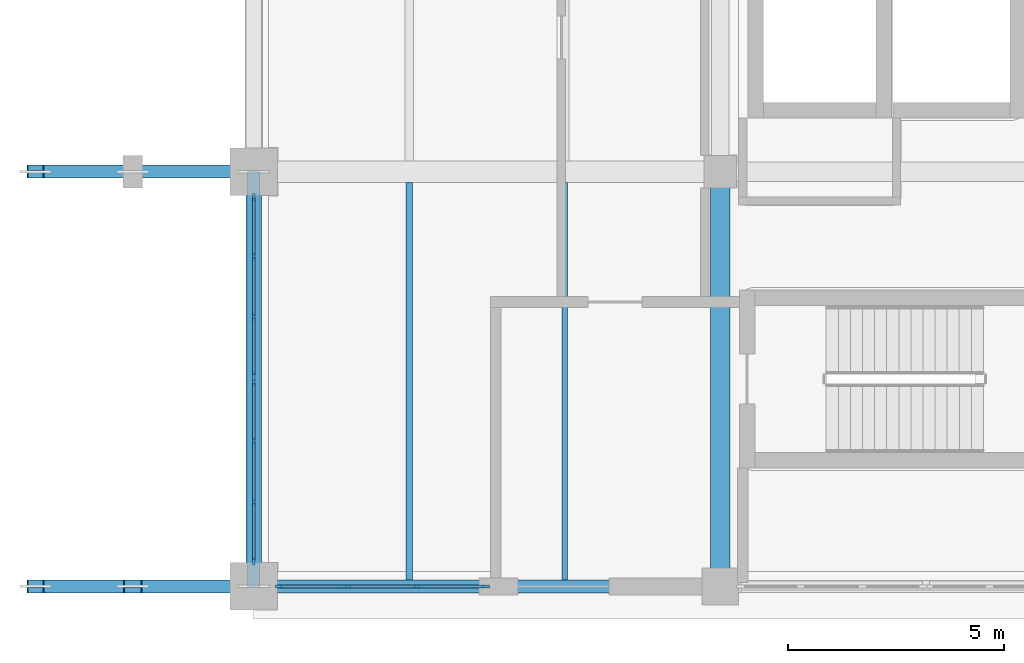
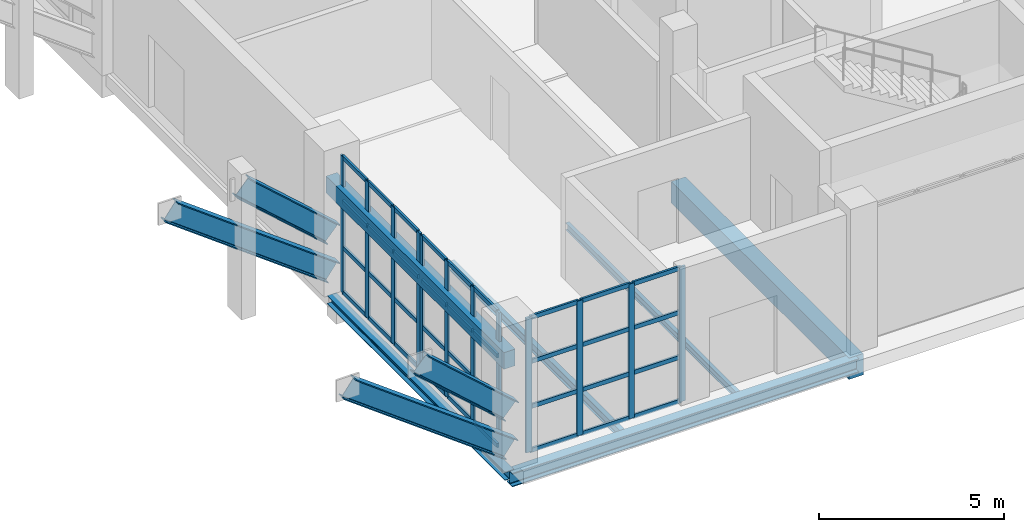
# One storey, part 4 of 121: 52 members, 6 beams, 3 elements without a shape of their own.
"""IFC4 building model written with IfcOpenShell, lengths in metres."""

from ifc_helpers import new_model, si_unit, direction, frame, origin, origin_2d, place, context, subcontext, project, spatial, rectangle, i_section, extrude, material, layer, layer_set, material_profile, profile_set, type_object, element, aggregate, save


model = new_model("IFC4")

# Units and contexts
model_context = context("Model", 3, precision=1e-05, world=origin(), true_north=direction((0.0, 1.0)))
body_context = subcontext(model_context, "Body", "Model", "MODEL_VIEW")
ifc_project = project(units=[si_unit("LENGTHUNIT", "METRE"), si_unit("AREAUNIT", "SQUARE_METRE"), si_unit("VOLUMEUNIT", "CUBIC_METRE"), si_unit("PLANEANGLEUNIT", "RADIAN"), si_unit("MASSUNIT", "GRAM", prefix="KILO")], contexts=[model_context])

# Site, building, storey
site_placement = place(None, origin())
site = spatial("IfcSite", under=ifc_project, at=site_placement, CompositionType="ELEMENT")
building_placement = place(site_placement, origin())
building = spatial("IfcBuilding", under=site, at=building_placement, Name="Zereglee Splitstone Museum", CompositionType="ELEMENT")
storey_placement = place(building_placement, origin())
storey = spatial("IfcBuildingStorey", under=building, at=storey_placement, Name="L00", CompositionType="ELEMENT", Elevation=0.0)

# Beam
ifc_material_1 = material(Name="Concrete C40/50", Category="concrete")
ifc_material_profile_1 = material_profile(ifc_material_1, rectangle(XDim=0.449951171875, YDim=0.699951171875, at=origin_2d()), Name="RC 450x700")
ifc_profile_set_1 = profile_set([ifc_material_profile_1], Name="Concrete C40/50")
beam_type_1 = type_object("IfcBeamType", Name="BG-03", PredefinedType="BEAM", material=ifc_profile_set_1)
beam_1_placement = place(storey_placement, frame((20.39990234375, 0.0, -0.77001953125), z_axis=(0.0, 1.0, 0.0), x_axis=(-1.0, 0.0, 0.0)))
element("IfcBeam", 1, at=beam_1_placement, inside=storey, type_object=beam_type_1, Name="Primary Girder L00 4 (0.0-9.6)", PredefinedType="BEAM", context=body_context, shape_type="SweptSolid", body=[
    extrude(rectangle(XDim=0.449951171875, YDim=0.699951171875, at=origin_2d()), origin(), (0.0, 0.0, 1.0), 9.60009765625),
])

# Members
ifc_material_2 = material(Name="Steel S355J2", Category="steel")
ifc_material_profile_2 = material_profile(ifc_material_2, i_section(OverallWidth=0.300048828125, OverallDepth=0.64990234375, WebThickness=0.01611328125, FlangeThickness=0.031005859375, FilletRadius=0.027099609375, at=origin_2d()), Name="HE 650 B")
ifc_profile_set_2 = profile_set([ifc_material_profile_2], Name="Steel S355J2")
member_type_1 = type_object("IfcMemberType", Name="TB-09", PredefinedType="BRACE", material=ifc_profile_set_2)
member_1_placement = place(storey_placement, frame((9.60009765625, 0.0, 0.35009765625), z_axis=(-0.802855312728, 0.0, 0.596173923302), x_axis=(0.0, -1.0, 0.0)))
element("IfcMember", 2, at=member_1_placement, inside=storey, type_object=member_type_1, Name="Exposed Cantilever Raking Soffit Strut CT-01 Outer", PredefinedType="BRACE", context=body_context, shape_type="SweptSolid", body=[
    extrude(i_section(OverallWidth=0.300048828125, OverallDepth=0.64990234375, WebThickness=0.01611328125, FlangeThickness=0.031005859375, FilletRadius=0.027099609375, at=origin_2d()), origin(), (0.0, 0.0, 1.0), 6.2900390625),
])
member_2_placement = place(storey_placement, frame((9.60009765625, 0.0, 1.60009765625), z_axis=(-0.745943431645, 0.0, 0.666009306831), x_axis=(0.0, -1.0, 0.0)))
element("IfcMember", 3, at=member_2_placement, inside=storey, type_object=member_type_1, Name="Exposed Cantilever Raking Soffit Strut CT-01 Inner", PredefinedType="BRACE", context=body_context, shape_type="SweptSolid", body=[
    extrude(i_section(OverallWidth=0.300048828125, OverallDepth=0.64990234375, WebThickness=0.01611328125, FlangeThickness=0.031005859375, FilletRadius=0.027099609375, at=origin_2d()), origin(), (0.0, 0.0, 1.0), 3.753662109375),
])
member_3_placement = place(storey_placement, frame((9.60009765625, 9.60009765625, 0.35009765625), z_axis=(-0.802855312728, 0.0, 0.596173923302), x_axis=(0.0, -1.0, 0.0)))
element("IfcMember", 4, at=member_3_placement, inside=storey, type_object=member_type_1, Name="Exposed Cantilever Raking Soffit Strut CT-02 Outer", PredefinedType="BRACE", context=body_context, shape_type="SweptSolid", body=[
    extrude(i_section(OverallWidth=0.300048828125, OverallDepth=0.64990234375, WebThickness=0.01611328125, FlangeThickness=0.031005859375, FilletRadius=0.027099609375, at=origin_2d()), origin(), (0.0, 0.0, 1.0), 6.2900390625),
])
member_4_placement = place(storey_placement, frame((9.60009765625, 9.60009765625, 1.60009765625), z_axis=(-0.745943431645, 0.0, 0.666009306831), x_axis=(0.0, -1.0, 0.0)))
element("IfcMember", 5, at=member_4_placement, inside=storey, type_object=member_type_1, Name="Exposed Cantilever Raking Soffit Strut CT-02 Inner", PredefinedType="BRACE", context=body_context, shape_type="SweptSolid", body=[
    extrude(i_section(OverallWidth=0.300048828125, OverallDepth=0.64990234375, WebThickness=0.01611328125, FlangeThickness=0.031005859375, FilletRadius=0.027099609375, at=origin_2d()), origin(), (0.0, 0.0, 1.0), 3.753662109375),
])

# Curtain wall, members
ifc_material_3 = material(Name="Triple-glazed low-E argon glass and bronze-anodised aluminium", Category="aluminium")
ifc_layer_1 = layer(ifc_material_3, 0.179931640625)
ifc_layer_set_1 = layer_set([ifc_layer_1], Name="Triple-glazed low-E argon glass and bronze-anodised aluminium")
curtain_wall_type_1 = type_object("IfcCurtainWallType", Name="CW-0420-450", PredefinedType="USERDEFINED", material=ifc_layer_set_1)
curtain_wall_1_placement = place(storey_placement, origin())
curtain_wall_1 = element("IfcCurtainWall", 6, at=curtain_wall_1_placement, inside=storey, type_object=curtain_wall_type_1, Name="Glazed Curtain Wall CW-0420-450 (L00)", ObjectType="GLAZED CURTAIN WALL", PredefinedType="USERDEFINED")
ifc_material_4 = material(Name="Thermally broken bronze-anodised aluminium", Category="aluminium")
ifc_material_profile_3 = material_profile(ifc_material_4, rectangle(XDim=0.06494140625, YDim=0.179931640625, at=origin_2d()), Name="CW MULL 65x180")
ifc_profile_set_3 = profile_set([ifc_material_profile_3], Name="Thermally broken bronze-anodised aluminium")
member_type_2 = type_object("IfcMemberType", Name="CWM-01", PredefinedType="MULLION", material=ifc_profile_set_3)
member_5_placement = place(storey_placement, frame((9.60009765625, 9.009521484375, 0.0), z_axis=(0.0, 0.0, 1.0), x_axis=(1.0, 0.0, 0.0)))
member_5 = element("IfcMember", 7, at=member_5_placement, type_object=member_type_2, Name="CW-0420-450 mullion 1", PredefinedType="MULLION", context=body_context, shape_type="SweptSolid", body=[
    extrude(rectangle(XDim=0.06494140625, YDim=0.179931640625, at=origin_2d()), origin(), (0.0, 0.0, 1.0), 4.5),
])
member_6_placement = place(storey_placement, frame((9.60009765625, 7.641357421875, 0.0), z_axis=(0.0, 0.0, 1.0), x_axis=(1.0, 0.0, 0.0)))
member_6 = element("IfcMember", 8, at=member_6_placement, type_object=member_type_2, Name="CW-0420-450 mullion 2", PredefinedType="MULLION", context=body_context, shape_type="SweptSolid", body=[
    extrude(rectangle(XDim=0.06494140625, YDim=0.179931640625, at=origin_2d()), origin(), (0.0, 0.0, 1.0), 4.5),
])
member_7_placement = place(storey_placement, frame((9.60009765625, 6.24072265625, 0.0), z_axis=(0.0, 0.0, 1.0), x_axis=(1.0, 0.0, 0.0)))
member_7 = element("IfcMember", 9, at=member_7_placement, type_object=member_type_2, Name="CW-0420-450 mullion 3", PredefinedType="MULLION", context=body_context, shape_type="SweptSolid", body=[
    extrude(rectangle(XDim=0.06494140625, YDim=0.179931640625, at=origin_2d()), origin(), (0.0, 0.0, 1.0), 4.5),
])
member_8_placement = place(storey_placement, frame((9.60009765625, 4.87255859375, 0.0), z_axis=(0.0, 0.0, 1.0), x_axis=(1.0, 0.0, 0.0)))
member_8 = element("IfcMember", 10, at=member_8_placement, type_object=member_type_2, Name="CW-0420-450 mullion 4", PredefinedType="MULLION", context=body_context, shape_type="SweptSolid", body=[
    extrude(rectangle(XDim=0.06494140625, YDim=0.179931640625, at=origin_2d()), origin(), (0.0, 0.0, 1.0), 4.5),
])

ifc_layer_2 = layer(ifc_material_3, 0.179931640625)
ifc_layer_set_2 = layer_set([ifc_layer_2], Name="Triple-glazed low-E argon glass and bronze-anodised aluminium")
curtain_wall_type_2 = type_object("IfcCurtainWallType", Name="CW-0420-448", PredefinedType="USERDEFINED", material=ifc_layer_set_2)
curtain_wall_2_placement = place(storey_placement, origin())
curtain_wall_2 = element("IfcCurtainWall", 11, at=curtain_wall_2_placement, inside=storey, type_object=curtain_wall_type_2, Name="Glazed Curtain Wall CW-0420-448 (L00)", ObjectType="GLAZED CURTAIN WALL", PredefinedType="USERDEFINED")
member_9_placement = place(storey_placement, frame((9.60009765625, 4.7275390625, 0.0), z_axis=(0.0, 0.0, 1.0), x_axis=(1.0, 0.0, 0.0)))
member_9 = element("IfcMember", 12, at=member_9_placement, type_object=member_type_2, Name="CW-0420-448 mullion 1", PredefinedType="MULLION", context=body_context, shape_type="SweptSolid", body=[
    extrude(rectangle(XDim=0.06494140625, YDim=0.179931640625, at=origin_2d()), origin(), (0.0, 0.0, 1.0), 4.47998046875),
])
member_10_placement = place(storey_placement, frame((9.60009765625, 3.359375, 0.0), z_axis=(0.0, 0.0, 1.0), x_axis=(1.0, 0.0, 0.0)))
member_10 = element("IfcMember", 13, at=member_10_placement, type_object=member_type_2, Name="CW-0420-448 mullion 2", PredefinedType="MULLION", context=body_context, shape_type="SweptSolid", body=[
    extrude(rectangle(XDim=0.06494140625, YDim=0.179931640625, at=origin_2d()), origin(), (0.0, 0.0, 1.0), 4.47998046875),
])
member_11_placement = place(storey_placement, frame((9.60009765625, 1.958740234375, 0.0), z_axis=(0.0, 0.0, 1.0), x_axis=(1.0, 0.0, 0.0)))
member_11 = element("IfcMember", 14, at=member_11_placement, type_object=member_type_2, Name="CW-0420-448 mullion 3", PredefinedType="MULLION", context=body_context, shape_type="SweptSolid", body=[
    extrude(rectangle(XDim=0.06494140625, YDim=0.179931640625, at=origin_2d()), origin(), (0.0, 0.0, 1.0), 4.47998046875),
])
member_12_placement = place(storey_placement, frame((9.60009765625, 0.590576171875, 0.0), z_axis=(0.0, 0.0, 1.0), x_axis=(1.0, 0.0, 0.0)))
member_12 = element("IfcMember", 15, at=member_12_placement, type_object=member_type_2, Name="CW-0420-448 mullion 4", PredefinedType="MULLION", context=body_context, shape_type="SweptSolid", body=[
    extrude(rectangle(XDim=0.06494140625, YDim=0.179931640625, at=origin_2d()), origin(), (0.0, 0.0, 1.0), 4.47998046875),
])

ifc_layer_3 = layer(ifc_material_3, 0.179931640625)
ifc_layer_set_3 = layer_set([ifc_layer_3], Name="Triple-glazed low-E argon glass and bronze-anodised aluminium")
curtain_wall_type_3 = type_object("IfcCurtainWallType", Name="CW-0484-444", PredefinedType="USERDEFINED", material=ifc_layer_set_3)
curtain_wall_3_placement = place(storey_placement, origin())
curtain_wall_3 = element("IfcCurtainWall", 16, at=curtain_wall_3_placement, inside=storey, type_object=curtain_wall_type_3, Name="Glazed Curtain Wall CW-0484-444 (L00)", ObjectType="GLAZED CURTAIN WALL", PredefinedType="USERDEFINED")
member_13_placement = place(storey_placement, frame((10.1904296875, 0.0, 0.0), z_axis=(0.0, 0.0, 1.0), x_axis=(0.0, 1.0, 0.0)))
member_13 = element("IfcMember", 17, at=member_13_placement, type_object=member_type_2, Name="CW-0484-444 mullion 1", PredefinedType="MULLION", context=body_context, shape_type="SweptSolid", body=[
    extrude(rectangle(XDim=0.06494140625, YDim=0.179931640625, at=origin_2d()), origin(), (0.0, 0.0, 1.0), 4.43994140625),
])
member_14_placement = place(storey_placement, frame((11.77197265625, 0.0, 0.0), z_axis=(0.0, 0.0, 1.0), x_axis=(0.0, 1.0, 0.0)))
member_14 = element("IfcMember", 18, at=member_14_placement, type_object=member_type_2, Name="CW-0484-444 mullion 2", PredefinedType="MULLION", context=body_context, shape_type="SweptSolid", body=[
    extrude(rectangle(XDim=0.06494140625, YDim=0.179931640625, at=origin_2d()), origin(), (0.0, 0.0, 1.0), 4.43994140625),
])
member_15_placement = place(storey_placement, frame((13.385986328125, 0.0, 0.0), z_axis=(0.0, 0.0, 1.0), x_axis=(0.0, 1.0, 0.0)))
member_15 = element("IfcMember", 19, at=member_15_placement, type_object=member_type_2, Name="CW-0484-444 mullion 3", PredefinedType="MULLION", context=body_context, shape_type="SweptSolid", body=[
    extrude(rectangle(XDim=0.06494140625, YDim=0.179931640625, at=origin_2d()), origin(), (0.0, 0.0, 1.0), 4.43994140625),
])
member_16_placement = place(storey_placement, frame((14.967529296875, 0.0, 0.0), z_axis=(0.0, 0.0, 1.0), x_axis=(0.0, 1.0, 0.0)))
member_16 = element("IfcMember", 20, at=member_16_placement, type_object=member_type_2, Name="CW-0484-444 mullion 4", PredefinedType="MULLION", context=body_context, shape_type="SweptSolid", body=[
    extrude(rectangle(XDim=0.06494140625, YDim=0.179931640625, at=origin_2d()), origin(), (0.0, 0.0, 1.0), 4.43994140625),
])

# Member
ifc_material_profile_4 = material_profile(ifc_material_4, rectangle(XDim=0.06494140625, YDim=0.139892578125, at=origin_2d()), Name="CW TRAN 65x140")
ifc_profile_set_4 = profile_set([ifc_material_profile_4], Name="Thermally broken bronze-anodised aluminium")
member_type_3 = type_object("IfcMemberType", Name="CWT-01", PredefinedType="USERDEFINED", material=ifc_profile_set_4)
member_17_placement = place(storey_placement, frame((9.60009765625, 8.97705078125, 0.032470703125), z_axis=(0.0, -1.0, 0.0), x_axis=(1.0, 0.0, 0.0)))
member_17 = element("IfcMember", 21, at=member_17_placement, type_object=member_type_3, Name="CW-0420-450 transom 1.1", ObjectType="TRANSOM", PredefinedType="USERDEFINED", context=body_context, shape_type="SweptSolid", body=[
    extrude(rectangle(XDim=0.06494140625, YDim=0.139892578125, at=origin_2d()), origin(), (0.0, 0.0, 1.0), 1.30322265625),
])

member_18_placement = place(storey_placement, frame((9.60009765625, 8.97705078125, 1.5), z_axis=(0.0, -1.0, 0.0), x_axis=(1.0, 0.0, 0.0)))
member_18 = element("IfcMember", 22, at=member_18_placement, type_object=member_type_3, Name="CW-0420-450 transom 1.2", ObjectType="TRANSOM", PredefinedType="USERDEFINED", context=body_context, shape_type="SweptSolid", body=[
    extrude(rectangle(XDim=0.06494140625, YDim=0.139892578125, at=origin_2d()), origin(), (0.0, 0.0, 1.0), 1.30322265625),
])

member_19_placement = place(storey_placement, frame((9.60009765625, 8.97705078125, 3.0), z_axis=(0.0, -1.0, 0.0), x_axis=(1.0, 0.0, 0.0)))
member_19 = element("IfcMember", 23, at=member_19_placement, type_object=member_type_3, Name="CW-0420-450 transom 1.3", ObjectType="TRANSOM", PredefinedType="USERDEFINED", context=body_context, shape_type="SweptSolid", body=[
    extrude(rectangle(XDim=0.06494140625, YDim=0.139892578125, at=origin_2d()), origin(), (0.0, 0.0, 1.0), 1.30322265625),
])

member_20_placement = place(storey_placement, frame((9.60009765625, 8.97705078125, 4.467529296875), z_axis=(0.0, -1.0, 0.0), x_axis=(1.0, 0.0, 0.0)))
member_20 = element("IfcMember", 24, at=member_20_placement, type_object=member_type_3, Name="CW-0420-450 transom 1.4", ObjectType="TRANSOM", PredefinedType="USERDEFINED", context=body_context, shape_type="SweptSolid", body=[
    extrude(rectangle(XDim=0.06494140625, YDim=0.139892578125, at=origin_2d()), origin(), (0.0, 0.0, 1.0), 1.30322265625),
])

member_21_placement = place(storey_placement, frame((9.60009765625, 7.60888671875, 0.032470703125), z_axis=(0.0, -1.0, 0.0), x_axis=(1.0, 0.0, 0.0)))
member_21 = element("IfcMember", 25, at=member_21_placement, type_object=member_type_3, Name="CW-0420-450 transom 2.1", ObjectType="TRANSOM", PredefinedType="USERDEFINED", context=body_context, shape_type="SweptSolid", body=[
    extrude(rectangle(XDim=0.06494140625, YDim=0.139892578125, at=origin_2d()), origin(), (0.0, 0.0, 1.0), 1.335693359375),
])

member_22_placement = place(storey_placement, frame((9.60009765625, 7.60888671875, 1.5), z_axis=(0.0, -1.0, 0.0), x_axis=(1.0, 0.0, 0.0)))
member_22 = element("IfcMember", 26, at=member_22_placement, type_object=member_type_3, Name="CW-0420-450 transom 2.2", ObjectType="TRANSOM", PredefinedType="USERDEFINED", context=body_context, shape_type="SweptSolid", body=[
    extrude(rectangle(XDim=0.06494140625, YDim=0.139892578125, at=origin_2d()), origin(), (0.0, 0.0, 1.0), 1.335693359375),
])

member_23_placement = place(storey_placement, frame((9.60009765625, 7.60888671875, 3.0), z_axis=(0.0, -1.0, 0.0), x_axis=(1.0, 0.0, 0.0)))
member_23 = element("IfcMember", 27, at=member_23_placement, type_object=member_type_3, Name="CW-0420-450 transom 2.3", ObjectType="TRANSOM", PredefinedType="USERDEFINED", context=body_context, shape_type="SweptSolid", body=[
    extrude(rectangle(XDim=0.06494140625, YDim=0.139892578125, at=origin_2d()), origin(), (0.0, 0.0, 1.0), 1.335693359375),
])

member_24_placement = place(storey_placement, frame((9.60009765625, 7.60888671875, 4.467529296875), z_axis=(0.0, -1.0, 0.0), x_axis=(1.0, 0.0, 0.0)))
member_24 = element("IfcMember", 28, at=member_24_placement, type_object=member_type_3, Name="CW-0420-450 transom 2.4", ObjectType="TRANSOM", PredefinedType="USERDEFINED", context=body_context, shape_type="SweptSolid", body=[
    extrude(rectangle(XDim=0.06494140625, YDim=0.139892578125, at=origin_2d()), origin(), (0.0, 0.0, 1.0), 1.335693359375),
])

member_25_placement = place(storey_placement, frame((9.60009765625, 6.208251953125, 0.032470703125), z_axis=(0.0, -1.0, 0.0), x_axis=(1.0, 0.0, 0.0)))
member_25 = element("IfcMember", 29, at=member_25_placement, type_object=member_type_3, Name="CW-0420-450 transom 3.1", ObjectType="TRANSOM", PredefinedType="USERDEFINED", context=body_context, shape_type="SweptSolid", body=[
    extrude(rectangle(XDim=0.06494140625, YDim=0.139892578125, at=origin_2d()), origin(), (0.0, 0.0, 1.0), 1.30322265625),
])

member_26_placement = place(storey_placement, frame((9.60009765625, 6.208251953125, 1.5), z_axis=(0.0, -1.0, 0.0), x_axis=(1.0, 0.0, 0.0)))
member_26 = element("IfcMember", 30, at=member_26_placement, type_object=member_type_3, Name="CW-0420-450 transom 3.2", ObjectType="TRANSOM", PredefinedType="USERDEFINED", context=body_context, shape_type="SweptSolid", body=[
    extrude(rectangle(XDim=0.06494140625, YDim=0.139892578125, at=origin_2d()), origin(), (0.0, 0.0, 1.0), 1.30322265625),
])

member_27_placement = place(storey_placement, frame((9.60009765625, 6.208251953125, 3.0), z_axis=(0.0, -1.0, 0.0), x_axis=(1.0, 0.0, 0.0)))
member_27 = element("IfcMember", 31, at=member_27_placement, type_object=member_type_3, Name="CW-0420-450 transom 3.3", ObjectType="TRANSOM", PredefinedType="USERDEFINED", context=body_context, shape_type="SweptSolid", body=[
    extrude(rectangle(XDim=0.06494140625, YDim=0.139892578125, at=origin_2d()), origin(), (0.0, 0.0, 1.0), 1.30322265625),
])

member_28_placement = place(storey_placement, frame((9.60009765625, 6.208251953125, 4.467529296875), z_axis=(0.0, -1.0, 0.0), x_axis=(1.0, 0.0, 0.0)))
member_28 = element("IfcMember", 32, at=member_28_placement, type_object=member_type_3, Name="CW-0420-450 transom 3.4", ObjectType="TRANSOM", PredefinedType="USERDEFINED", context=body_context, shape_type="SweptSolid", body=[
    extrude(rectangle(XDim=0.06494140625, YDim=0.139892578125, at=origin_2d()), origin(), (0.0, 0.0, 1.0), 1.30322265625),
])

aggregate(curtain_wall_1, [member_5, member_6, member_7, member_8, member_17, member_18, member_19, member_20, member_21, member_22, member_23, member_24, member_25, member_26, member_27, member_28])

member_29_placement = place(storey_placement, frame((9.60009765625, 4.695068359375, 0.032470703125), z_axis=(0.0, -1.0, 0.0), x_axis=(1.0, 0.0, 0.0)))
member_29 = element("IfcMember", 33, at=member_29_placement, type_object=member_type_3, Name="CW-0420-448 transom 1.1", ObjectType="TRANSOM", PredefinedType="USERDEFINED", context=body_context, shape_type="SweptSolid", body=[
    extrude(rectangle(XDim=0.06494140625, YDim=0.139892578125, at=origin_2d()), origin(), (0.0, 0.0, 1.0), 1.30322265625),
])

member_30_placement = place(storey_placement, frame((9.60009765625, 4.695068359375, 1.493408203125), z_axis=(0.0, -1.0, 0.0), x_axis=(1.0, 0.0, 0.0)))
member_30 = element("IfcMember", 34, at=member_30_placement, type_object=member_type_3, Name="CW-0420-448 transom 1.2", ObjectType="TRANSOM", PredefinedType="USERDEFINED", context=body_context, shape_type="SweptSolid", body=[
    extrude(rectangle(XDim=0.06494140625, YDim=0.139892578125, at=origin_2d()), origin(), (0.0, 0.0, 1.0), 1.30322265625),
])

member_31_placement = place(storey_placement, frame((9.60009765625, 4.695068359375, 2.98681640625), z_axis=(0.0, -1.0, 0.0), x_axis=(1.0, 0.0, 0.0)))
member_31 = element("IfcMember", 35, at=member_31_placement, type_object=member_type_3, Name="CW-0420-448 transom 1.3", ObjectType="TRANSOM", PredefinedType="USERDEFINED", context=body_context, shape_type="SweptSolid", body=[
    extrude(rectangle(XDim=0.06494140625, YDim=0.139892578125, at=origin_2d()), origin(), (0.0, 0.0, 1.0), 1.30322265625),
])

member_32_placement = place(storey_placement, frame((9.60009765625, 4.695068359375, 4.447509765625), z_axis=(0.0, -1.0, 0.0), x_axis=(1.0, 0.0, 0.0)))
member_32 = element("IfcMember", 36, at=member_32_placement, type_object=member_type_3, Name="CW-0420-448 transom 1.4", ObjectType="TRANSOM", PredefinedType="USERDEFINED", context=body_context, shape_type="SweptSolid", body=[
    extrude(rectangle(XDim=0.06494140625, YDim=0.139892578125, at=origin_2d()), origin(), (0.0, 0.0, 1.0), 1.30322265625),
])

member_33_placement = place(storey_placement, frame((9.60009765625, 3.326904296875, 0.032470703125), z_axis=(0.0, -1.0, 0.0), x_axis=(1.0, 0.0, 0.0)))
member_33 = element("IfcMember", 37, at=member_33_placement, type_object=member_type_3, Name="CW-0420-448 transom 2.1", ObjectType="TRANSOM", PredefinedType="USERDEFINED", context=body_context, shape_type="SweptSolid", body=[
    extrude(rectangle(XDim=0.06494140625, YDim=0.139892578125, at=origin_2d()), origin(), (0.0, 0.0, 1.0), 1.335693359375),
])

member_34_placement = place(storey_placement, frame((9.60009765625, 3.326904296875, 1.493408203125), z_axis=(0.0, -1.0, 0.0), x_axis=(1.0, 0.0, 0.0)))
member_34 = element("IfcMember", 38, at=member_34_placement, type_object=member_type_3, Name="CW-0420-448 transom 2.2", ObjectType="TRANSOM", PredefinedType="USERDEFINED", context=body_context, shape_type="SweptSolid", body=[
    extrude(rectangle(XDim=0.06494140625, YDim=0.139892578125, at=origin_2d()), origin(), (0.0, 0.0, 1.0), 1.335693359375),
])

member_35_placement = place(storey_placement, frame((9.60009765625, 3.326904296875, 2.98681640625), z_axis=(0.0, -1.0, 0.0), x_axis=(1.0, 0.0, 0.0)))
member_35 = element("IfcMember", 39, at=member_35_placement, type_object=member_type_3, Name="CW-0420-448 transom 2.3", ObjectType="TRANSOM", PredefinedType="USERDEFINED", context=body_context, shape_type="SweptSolid", body=[
    extrude(rectangle(XDim=0.06494140625, YDim=0.139892578125, at=origin_2d()), origin(), (0.0, 0.0, 1.0), 1.335693359375),
])

member_36_placement = place(storey_placement, frame((9.60009765625, 3.326904296875, 4.447509765625), z_axis=(0.0, -1.0, 0.0), x_axis=(1.0, 0.0, 0.0)))
member_36 = element("IfcMember", 40, at=member_36_placement, type_object=member_type_3, Name="CW-0420-448 transom 2.4", ObjectType="TRANSOM", PredefinedType="USERDEFINED", context=body_context, shape_type="SweptSolid", body=[
    extrude(rectangle(XDim=0.06494140625, YDim=0.139892578125, at=origin_2d()), origin(), (0.0, 0.0, 1.0), 1.335693359375),
])

member_37_placement = place(storey_placement, frame((9.60009765625, 1.92626953125, 0.032470703125), z_axis=(0.0, -1.0, 0.0), x_axis=(1.0, 0.0, 0.0)))
member_37 = element("IfcMember", 41, at=member_37_placement, type_object=member_type_3, Name="CW-0420-448 transom 3.1", ObjectType="TRANSOM", PredefinedType="USERDEFINED", context=body_context, shape_type="SweptSolid", body=[
    extrude(rectangle(XDim=0.06494140625, YDim=0.139892578125, at=origin_2d()), origin(), (0.0, 0.0, 1.0), 1.30322265625),
])

member_38_placement = place(storey_placement, frame((9.60009765625, 1.92626953125, 1.493408203125), z_axis=(0.0, -1.0, 0.0), x_axis=(1.0, 0.0, 0.0)))
member_38 = element("IfcMember", 42, at=member_38_placement, type_object=member_type_3, Name="CW-0420-448 transom 3.2", ObjectType="TRANSOM", PredefinedType="USERDEFINED", context=body_context, shape_type="SweptSolid", body=[
    extrude(rectangle(XDim=0.06494140625, YDim=0.139892578125, at=origin_2d()), origin(), (0.0, 0.0, 1.0), 1.30322265625),
])

member_39_placement = place(storey_placement, frame((9.60009765625, 1.92626953125, 2.98681640625), z_axis=(0.0, -1.0, 0.0), x_axis=(1.0, 0.0, 0.0)))
member_39 = element("IfcMember", 43, at=member_39_placement, type_object=member_type_3, Name="CW-0420-448 transom 3.3", ObjectType="TRANSOM", PredefinedType="USERDEFINED", context=body_context, shape_type="SweptSolid", body=[
    extrude(rectangle(XDim=0.06494140625, YDim=0.139892578125, at=origin_2d()), origin(), (0.0, 0.0, 1.0), 1.30322265625),
])

member_40_placement = place(storey_placement, frame((9.60009765625, 1.92626953125, 4.447509765625), z_axis=(0.0, -1.0, 0.0), x_axis=(1.0, 0.0, 0.0)))
member_40 = element("IfcMember", 44, at=member_40_placement, type_object=member_type_3, Name="CW-0420-448 transom 3.4", ObjectType="TRANSOM", PredefinedType="USERDEFINED", context=body_context, shape_type="SweptSolid", body=[
    extrude(rectangle(XDim=0.06494140625, YDim=0.139892578125, at=origin_2d()), origin(), (0.0, 0.0, 1.0), 1.30322265625),
])

aggregate(curtain_wall_2, [member_9, member_10, member_11, member_12, member_29, member_30, member_31, member_32, member_33, member_34, member_35, member_36, member_37, member_38, member_39, member_40])

member_41_placement = place(storey_placement, frame((10.222900390625, 0.0, 0.032470703125), z_axis=(1.0, 0.0, 0.0), x_axis=(0.0, 1.0, 0.0)))
member_41 = element("IfcMember", 45, at=member_41_placement, type_object=member_type_3, Name="CW-0484-444 transom 1.1", ObjectType="TRANSOM", PredefinedType="USERDEFINED", context=body_context, shape_type="SweptSolid", body=[
    extrude(rectangle(XDim=0.06494140625, YDim=0.139892578125, at=origin_2d()), origin(), (0.0, 0.0, 1.0), 1.5166015625),
])

member_42_placement = place(storey_placement, frame((10.222900390625, 0.0, 1.47998046875), z_axis=(1.0, 0.0, 0.0), x_axis=(0.0, 1.0, 0.0)))
member_42 = element("IfcMember", 46, at=member_42_placement, type_object=member_type_3, Name="CW-0484-444 transom 1.2", ObjectType="TRANSOM", PredefinedType="USERDEFINED", context=body_context, shape_type="SweptSolid", body=[
    extrude(rectangle(XDim=0.06494140625, YDim=0.139892578125, at=origin_2d()), origin(), (0.0, 0.0, 1.0), 1.5166015625),
])

member_43_placement = place(storey_placement, frame((10.222900390625, 0.0, 2.9599609375), z_axis=(1.0, 0.0, 0.0), x_axis=(0.0, 1.0, 0.0)))
member_43 = element("IfcMember", 47, at=member_43_placement, type_object=member_type_3, Name="CW-0484-444 transom 1.3", ObjectType="TRANSOM", PredefinedType="USERDEFINED", context=body_context, shape_type="SweptSolid", body=[
    extrude(rectangle(XDim=0.06494140625, YDim=0.139892578125, at=origin_2d()), origin(), (0.0, 0.0, 1.0), 1.5166015625),
])

member_44_placement = place(storey_placement, frame((10.222900390625, 0.0, 4.407470703125), z_axis=(1.0, 0.0, 0.0), x_axis=(0.0, 1.0, 0.0)))
member_44 = element("IfcMember", 48, at=member_44_placement, type_object=member_type_3, Name="CW-0484-444 transom 1.4", ObjectType="TRANSOM", PredefinedType="USERDEFINED", context=body_context, shape_type="SweptSolid", body=[
    extrude(rectangle(XDim=0.06494140625, YDim=0.139892578125, at=origin_2d()), origin(), (0.0, 0.0, 1.0), 1.5166015625),
])

member_45_placement = place(storey_placement, frame((11.804443359375, 0.0, 0.032470703125), z_axis=(1.0, 0.0, 0.0), x_axis=(0.0, 1.0, 0.0)))
member_45 = element("IfcMember", 49, at=member_45_placement, type_object=member_type_3, Name="CW-0484-444 transom 2.1", ObjectType="TRANSOM", PredefinedType="USERDEFINED", context=body_context, shape_type="SweptSolid", body=[
    extrude(rectangle(XDim=0.06494140625, YDim=0.139892578125, at=origin_2d()), origin(), (0.0, 0.0, 1.0), 1.549072265625),
])

member_46_placement = place(storey_placement, frame((11.804443359375, 0.0, 1.47998046875), z_axis=(1.0, 0.0, 0.0), x_axis=(0.0, 1.0, 0.0)))
member_46 = element("IfcMember", 50, at=member_46_placement, type_object=member_type_3, Name="CW-0484-444 transom 2.2", ObjectType="TRANSOM", PredefinedType="USERDEFINED", context=body_context, shape_type="SweptSolid", body=[
    extrude(rectangle(XDim=0.06494140625, YDim=0.139892578125, at=origin_2d()), origin(), (0.0, 0.0, 1.0), 1.549072265625),
])

member_47_placement = place(storey_placement, frame((11.804443359375, 0.0, 2.9599609375), z_axis=(1.0, 0.0, 0.0), x_axis=(0.0, 1.0, 0.0)))
member_47 = element("IfcMember", 51, at=member_47_placement, type_object=member_type_3, Name="CW-0484-444 transom 2.3", ObjectType="TRANSOM", PredefinedType="USERDEFINED", context=body_context, shape_type="SweptSolid", body=[
    extrude(rectangle(XDim=0.06494140625, YDim=0.139892578125, at=origin_2d()), origin(), (0.0, 0.0, 1.0), 1.549072265625),
])

member_48_placement = place(storey_placement, frame((11.804443359375, 0.0, 4.407470703125), z_axis=(1.0, 0.0, 0.0), x_axis=(0.0, 1.0, 0.0)))
member_48 = element("IfcMember", 52, at=member_48_placement, type_object=member_type_3, Name="CW-0484-444 transom 2.4", ObjectType="TRANSOM", PredefinedType="USERDEFINED", context=body_context, shape_type="SweptSolid", body=[
    extrude(rectangle(XDim=0.06494140625, YDim=0.139892578125, at=origin_2d()), origin(), (0.0, 0.0, 1.0), 1.549072265625),
])

member_49_placement = place(storey_placement, frame((13.41845703125, 0.0, 0.032470703125), z_axis=(1.0, 0.0, 0.0), x_axis=(0.0, 1.0, 0.0)))
member_49 = element("IfcMember", 53, at=member_49_placement, type_object=member_type_3, Name="CW-0484-444 transom 3.1", ObjectType="TRANSOM", PredefinedType="USERDEFINED", context=body_context, shape_type="SweptSolid", body=[
    extrude(rectangle(XDim=0.06494140625, YDim=0.139892578125, at=origin_2d()), origin(), (0.0, 0.0, 1.0), 1.5166015625),
])

member_50_placement = place(storey_placement, frame((13.41845703125, 0.0, 1.47998046875), z_axis=(1.0, 0.0, 0.0), x_axis=(0.0, 1.0, 0.0)))
member_50 = element("IfcMember", 54, at=member_50_placement, type_object=member_type_3, Name="CW-0484-444 transom 3.2", ObjectType="TRANSOM", PredefinedType="USERDEFINED", context=body_context, shape_type="SweptSolid", body=[
    extrude(rectangle(XDim=0.06494140625, YDim=0.139892578125, at=origin_2d()), origin(), (0.0, 0.0, 1.0), 1.5166015625),
])

member_51_placement = place(storey_placement, frame((13.41845703125, 0.0, 2.9599609375), z_axis=(1.0, 0.0, 0.0), x_axis=(0.0, 1.0, 0.0)))
member_51 = element("IfcMember", 55, at=member_51_placement, type_object=member_type_3, Name="CW-0484-444 transom 3.3", ObjectType="TRANSOM", PredefinedType="USERDEFINED", context=body_context, shape_type="SweptSolid", body=[
    extrude(rectangle(XDim=0.06494140625, YDim=0.139892578125, at=origin_2d()), origin(), (0.0, 0.0, 1.0), 1.5166015625),
])

member_52_placement = place(storey_placement, frame((13.41845703125, 0.0, 4.407470703125), z_axis=(1.0, 0.0, 0.0), x_axis=(0.0, 1.0, 0.0)))
member_52 = element("IfcMember", 56, at=member_52_placement, type_object=member_type_3, Name="CW-0484-444 transom 3.4", ObjectType="TRANSOM", PredefinedType="USERDEFINED", context=body_context, shape_type="SweptSolid", body=[
    extrude(rectangle(XDim=0.06494140625, YDim=0.139892578125, at=origin_2d()), origin(), (0.0, 0.0, 1.0), 1.5166015625),
])

aggregate(curtain_wall_3, [member_13, member_14, member_15, member_16, member_41, member_42, member_43, member_44, member_45, member_46, member_47, member_48, member_49, member_50, member_51, member_52])

# Beams
ifc_material_profile_5 = material_profile(ifc_material_2, i_section(OverallWidth=0.1201171875, OverallDepth=0.239990234375, WebThickness=0.006103515625, FlangeThickness=0.009765625, FilletRadius=0.014892578125, at=origin_2d()), Name="IPE 240")
ifc_profile_set_5 = profile_set([ifc_material_profile_5], Name="Steel S355J2")
beam_type_2 = type_object("IfcBeamType", Name="BJ-07", PredefinedType="JOIST", material=ifc_profile_set_5)
beam_2_placement = place(storey_placement, frame((16.800048828125, 0.14990234375, -0.5400390625), z_axis=(0.0, 1.0, 0.0), x_axis=(-1.0, 0.0, 0.0)))
element("IfcBeam", 57, at=beam_2_placement, inside=storey, type_object=beam_type_2, Name="Secondary Floor Joist L00-0258", PredefinedType="JOIST", context=body_context, shape_type="SweptSolid", body=[
    extrude(i_section(OverallWidth=0.1201171875, OverallDepth=0.239990234375, WebThickness=0.006103515625, FlangeThickness=0.009765625, FilletRadius=0.014892578125, at=origin_2d()), origin(), (0.0, 0.0, 1.0), 9.2001953125),
])
ifc_material_profile_6 = material_profile(ifc_material_2, i_section(OverallWidth=0.14990234375, OverallDepth=0.300048828125, WebThickness=0.007080078125, FlangeThickness=0.0107421875, FilletRadius=0.014892578125, at=origin_2d()), Name="IPE 300")
ifc_profile_set_6 = profile_set([ifc_material_profile_6], Name="Steel S355J2")
beam_type_3 = type_object("IfcBeamType", Name="BJ-06", PredefinedType="JOIST", material=ifc_profile_set_6)
beam_3_placement = place(storey_placement, frame((13.199951171875, 0.14990234375, -0.570068359375), z_axis=(0.0, 1.0, 0.0), x_axis=(-1.0, 0.0, 0.0)))
element("IfcBeam", 58, at=beam_3_placement, inside=storey, type_object=beam_type_3, Name="Secondary Floor Joist L00-0257", PredefinedType="JOIST", context=body_context, shape_type="SweptSolid", body=[
    extrude(i_section(OverallWidth=0.14990234375, OverallDepth=0.300048828125, WebThickness=0.007080078125, FlangeThickness=0.0107421875, FilletRadius=0.014892578125, at=origin_2d()), origin(), (0.0, 0.0, 1.0), 9.2001953125),
])
ifc_material_5 = material(Name="Precast concrete C40/50", Category="concrete")
ifc_material_profile_7 = material_profile(ifc_material_5, rectangle(XDim=0.35009765625, YDim=0.550048828125, at=origin_2d()), Name="RC 350x550")
ifc_profile_set_7 = profile_set([ifc_material_profile_7], Name="Precast concrete C40/50")
beam_type_4 = type_object("IfcBeamType", Name="LN-01", PredefinedType="LINTEL", material=ifc_profile_set_7)
beam_4_placement = place(storey_placement, frame((9.60009765625, 0.0, 3.25), z_axis=(0.0, 1.0, 0.0), x_axis=(-1.0, 0.0, 0.0)))
element("IfcBeam", 59, at=beam_4_placement, inside=storey, type_object=beam_type_4, Name="Pishtaq Portal Lintel LNT-01", PredefinedType="LINTEL", context=body_context, shape_type="SweptSolid", body=[
    extrude(rectangle(XDim=0.35009765625, YDim=0.550048828125, at=origin_2d()), origin(), (0.0, 0.0, 1.0), 9.60009765625),
])
ifc_material_profile_8 = material_profile(ifc_material_2, i_section(OverallWidth=0.280029296875, OverallDepth=0.280029296875, WebThickness=0.010498046875, FlangeThickness=0.01806640625, FilletRadius=0.02392578125, at=origin_2d()), Name="HE 280 B")
ifc_profile_set_8 = profile_set([ifc_material_profile_8], Name="Steel S355J2")
beam_type_5 = type_object("IfcBeamType", Name="SP-03", PredefinedType="SPANDREL", material=ifc_profile_set_8)
beam_5_placement = place(storey_placement, frame((9.60009765625, 0.0, -0.56005859375), z_axis=(0.0, 1.0, 0.0), x_axis=(-1.0, 0.0, 0.0)))
element("IfcBeam", 60, at=beam_5_placement, inside=storey, type_object=beam_type_5, Name="Primary Girder L00 2 (0.0-9.6)", PredefinedType="SPANDREL", context=body_context, shape_type="SweptSolid", body=[
    extrude(i_section(OverallWidth=0.280029296875, OverallDepth=0.280029296875, WebThickness=0.010498046875, FlangeThickness=0.01806640625, FilletRadius=0.02392578125, at=origin_2d()), origin(), (0.0, 0.0, 1.0), 9.60009765625),
])
ifc_material_profile_9 = material_profile(ifc_material_2, i_section(OverallWidth=0.300048828125, OverallDepth=0.449951171875, WebThickness=0.013916015625, FlangeThickness=0.02587890625, FilletRadius=0.027099609375, at=origin_2d()), Name="HE 450 B")
ifc_profile_set_9 = profile_set([ifc_material_profile_9], Name="Steel S355J2")
beam_type_6 = type_object("IfcBeamType", Name="SP-02", PredefinedType="SPANDREL", material=ifc_profile_set_9)
beam_6_placement = place(storey_placement, frame((9.60009765625, 0.0, -0.64501953125), z_axis=(1.0, 0.0, 0.0), x_axis=(0.0, 1.0, 0.0)))
element("IfcBeam", 61, at=beam_6_placement, inside=storey, type_object=beam_type_6, Name="Primary Girder L00 A (9.6-20.4)", PredefinedType="SPANDREL", context=body_context, shape_type="SweptSolid", body=[
    extrude(i_section(OverallWidth=0.300048828125, OverallDepth=0.449951171875, WebThickness=0.013916015625, FlangeThickness=0.02587890625, FilletRadius=0.027099609375, at=origin_2d()), origin(), (0.0, 0.0, 1.0), 10.7998046875),
])

save(model, "model.ifc")
